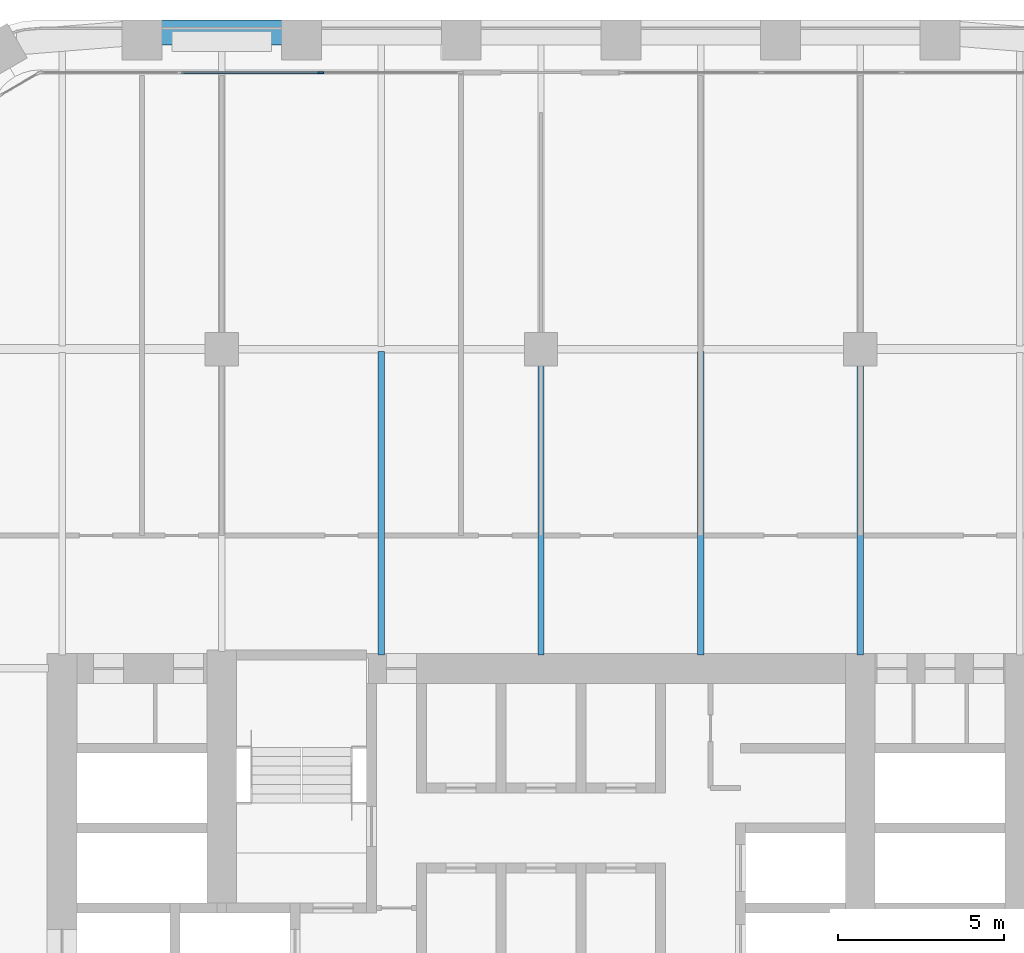
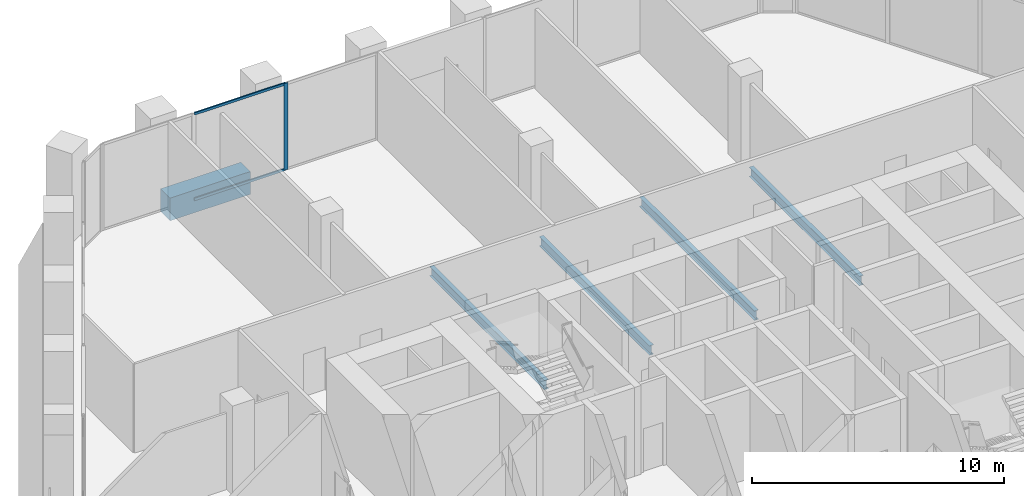
# One storey, part 8 of 26: 5 beams, 3 members, 1 element without a shape of its own.
"""IFC4 building model written with IfcOpenShell, lengths in metres."""

import ifcopenshell
import ifcopenshell.guid

model = None  # the IFC model being written
_history = None  # IfcOwnerHistory: only IFC2X3 demands one
_inside = {}  # id of a spatial element -> (the spatial element, [elements in it])
_under = {}  # id of a project, library or spatial element -> (it, [spatial elements below it])
_declared = {}  # id of a project -> (the project, [libraries it declares])
_typed = {}  # id of a type object -> (the type object, [elements of that type])
_made_of = {}  # id of a material, layer set ... -> (it, [elements and type objects made of it])


def new_model(schema):
    """Start an empty IFC model of exactly this schema.

    Asked for "IFC4X3", IfcOpenShell would pick the latest addendum, in which some entities
    have other attributes; the version numbers below select the first issue.
    IFC2X3 requires an IfcOwnerHistory on every rooted entity: one is made here for all.
    """
    global model, _history
    if schema == "IFC4X3":
        model = ifcopenshell.file(schema_version=(4, 3, 0, 0))
    else:
        model = ifcopenshell.file(schema=schema)
    _inside.clear()
    _under.clear()
    _declared.clear()
    _typed.clear()
    _made_of.clear()
    _history = None
    if model.schema == "IFC2X3":
        org = make("IfcOrganization", Name="unknown")
        user = make(
            "IfcPersonAndOrganization",
            ThePerson=make("IfcPerson", FamilyName="unknown"),
            TheOrganization=org,
        )
        app = make(
            "IfcApplication",
            ApplicationDeveloper=org,
            Version="unknown",
            ApplicationFullName="unknown",
            ApplicationIdentifier="unknown",
        )
        _history = make(
            "IfcOwnerHistory",
            OwningUser=user,
            OwningApplication=app,
            ChangeAction="ADDED",
            CreationDate=0,
        )
    return model


def make(cls, **values):
    """One entity of the class cls with the attributes given. An attribute that is None is left unset."""
    return model.create_entity(
        cls, **{name: value for name, value in values.items() if value is not None}
    )


def rooted(cls, **values):
    """An entity with a GlobalId (a new one), such as an element, a storey or a relation."""
    return make(cls, GlobalId=ifcopenshell.guid.new(), OwnerHistory=_history, **values)


def si_unit(unit_type, name, prefix=None):
    """IfcSIUnit, for example si_unit("LENGTHUNIT", "METRE", prefix="MILLI")."""
    return make("IfcSIUnit", UnitType=unit_type, Prefix=prefix, Name=name)


def assignment(units):
    """IfcUnitAssignment: the units of a project."""
    return None if units is None else make("IfcUnitAssignment", Units=units)


def point(xyz):
    """IfcCartesianPoint."""
    return None if xyz is None else make("IfcCartesianPoint", Coordinates=xyz)


def direction(xyz):
    """IfcDirection."""
    return None if xyz is None else make("IfcDirection", DirectionRatios=xyz)


def frame(location, z_axis=None, x_axis=None):
    """IfcAxis2Placement3D, a coordinate frame: its origin and axes. An axis left out is left unset."""
    return make(
        "IfcAxis2Placement3D",
        Location=point(location),
        Axis=direction(z_axis),
        RefDirection=direction(x_axis),
    )


def frame_2d(location, x_axis=None):
    """IfcAxis2Placement2D, a coordinate frame in the plane: its origin and x axis."""
    return make(
        "IfcAxis2Placement2D", Location=point(location), RefDirection=direction(x_axis)
    )


def origin():
    """The frame at (0, 0, 0) with its axes left unset."""
    return frame((0.0, 0.0, 0.0))


def origin_2d():
    """The frame at (0, 0) in the plane with its x axis left unset."""
    return frame_2d((0.0, 0.0))


def place(relative_to, where):
    """IfcLocalPlacement: puts the frame where relative to a parent placement (None: the world)."""
    return make(
        "IfcLocalPlacement", PlacementRelTo=relative_to, RelativePlacement=where
    )


def context(
    kind, dimensions, precision=None, world=None, true_north=None, identifier=None
):
    """IfcGeometricRepresentationContext, for example the 3D "Model" context."""
    return make(
        "IfcGeometricRepresentationContext",
        ContextIdentifier=identifier,
        ContextType=kind,
        CoordinateSpaceDimension=dimensions,
        Precision=precision,
        WorldCoordinateSystem=world,
        TrueNorth=true_north,
    )


def subcontext(parent, identifier, kind, view, scale=None):
    """IfcGeometricRepresentationSubContext, for example "Body" below "Model"."""
    return make(
        "IfcGeometricRepresentationSubContext",
        ContextIdentifier=identifier,
        ContextType=kind,
        ParentContext=parent,
        TargetScale=scale,
        TargetView=view,
    )


def project(units=None, contexts=None):
    """IfcProject with its units and contexts."""
    return rooted(
        "IfcProject",
        Name="project",
        RepresentationContexts=contexts,
        UnitsInContext=assignment(units),
    )


def spatial(cls, under=None, at=None, **own):
    """A site, building, storey or space (cls), placed at a placement, below another one or the project."""
    s = rooted(cls, ObjectPlacement=at, **own)
    if under is not None:
        _under.setdefault(under.id(), (under, []))[1].append(s)
    return s


def profile(cls, at=None, kind="AREA", **sizes):
    """A parametric profile (cls). Its sizes go by their IFC names, for example OverallWidth=200.0."""
    return make(cls, ProfileType=kind, Position=at, **sizes)


def rectangle(**sizes):
    """IfcRectangleProfileDef."""
    return profile("IfcRectangleProfileDef", **sizes)


def i_section(**sizes):
    """IfcIShapeProfileDef."""
    return profile("IfcIShapeProfileDef", **sizes)


def extrude(swept, where, along, depth):
    """IfcExtrudedAreaSolid: the profile swept, set in the frame where, extruded along a direction by depth."""
    return make(
        "IfcExtrudedAreaSolid",
        SweptArea=swept,
        Position=where,
        ExtrudedDirection=direction(along),
        Depth=depth,
    )


def shape(context_of_items, identifier, shape_type, items):
    """IfcShapeRepresentation: the items that make up one representation, for example the "Body"."""
    return make(
        "IfcShapeRepresentation",
        ContextOfItems=context_of_items,
        RepresentationIdentifier=identifier,
        RepresentationType=shape_type,
        Items=items,
    )


def material(Name=None, Category=None):
    """IfcMaterial."""
    return make("IfcMaterial", Name=Name, Category=Category)


def material_profile(
    of_material, cross_section, Name=None, Category=None, Priority=None
):
    """IfcMaterialProfile: a cross section and its material."""
    return make(
        "IfcMaterialProfile",
        Name=Name,
        Material=of_material,
        Profile=cross_section,
        Priority=Priority,
        Category=Category,
    )


def profile_set(profiles, Name=None, composite=None):
    """IfcMaterialProfileSet."""
    return make(
        "IfcMaterialProfileSet",
        Name=Name,
        MaterialProfiles=profiles,
        CompositeProfile=composite,
    )


def made_of(thing, what):
    """Note that an element or type object is made of a material, layer set ...; save() writes the relation."""
    if what is not None:
        _made_of.setdefault(what.id(), (what, []))[1].append(thing)
    return thing


def type_object(cls, material=None, **own):
    """A type object (cls), such as IfcWallType, which elements share."""
    return made_of(rooted(cls, **own), material)


def element(
    cls,
    number,
    at=None,
    inside=None,
    cuts=None,
    type_object=None,
    material=None,
    context=None,
    identifier="Body",
    shape_type=None,
    held_by="IfcProductDefinitionShape",
    body=None,
    shapes=None,
    **own,
):
    """One element of the class cls, such as IfcWall. Its Tag is "e" and its number.

    at: its placement. inside: the storey or other place that contains it. cuts: it is an
    opening in that element (IfcRelVoidsElement). A single representation is given by context,
    identifier, shape_type and body (its items); several are given by shapes. held_by: the class
    of the entity that holds the representations. save() writes the other relations.
    """
    e = rooted(cls, Tag="e%d" % number, ObjectPlacement=at, **own)
    if body is not None:
        shapes = [shape(context, identifier, shape_type, body)]
    if shapes is not None:
        e.Representation = make(held_by, Representations=shapes)
    if inside is not None:
        _inside.setdefault(inside.id(), (inside, []))[1].append(e)
    if cuts is not None:
        rooted(
            "IfcRelVoidsElement", RelatingBuildingElement=cuts, RelatedOpeningElement=e
        )
    if type_object is not None:
        _typed.setdefault(type_object.id(), (type_object, []))[1].append(e)
    return made_of(e, material)


def aggregate(whole, parts):
    """IfcRelAggregates: a whole, such as a stair, and the parts it consists of."""
    return rooted("IfcRelAggregates", RelatingObject=whole, RelatedObjects=parts)


def save(model, path):
    """Write the relations noted so far, then the file.

    IfcRelAggregates (storeys below a building ...), IfcRelContainedInSpatialStructure (elements
    in a storey), IfcRelDefinesByType, IfcRelAssociatesMaterial and IfcRelDeclares: one each for
    every whole, place, type object, material and project.
    """
    for whole, parts in _under.values():
        aggregate(whole, parts)
    for where, things in _inside.values():
        rooted(
            "IfcRelContainedInSpatialStructure",
            RelatedElements=things,
            RelatingStructure=where,
        )
    for kind, things in _typed.values():
        rooted("IfcRelDefinesByType", RelatedObjects=things, RelatingType=kind)
    for what, things in _made_of.values():
        rooted("IfcRelAssociatesMaterial", RelatedObjects=things, RelatingMaterial=what)
    for by, libraries in _declared.values():
        rooted("IfcRelDeclares", RelatingContext=by, RelatedDefinitions=libraries)
    model.write(path)


model = new_model("IFC4")

# Units and contexts
model_context = context("Model", 3, precision=1e-05, world=origin(), true_north=direction((0.0, 1.0)))
body_context = subcontext(model_context, "Body", "Model", "MODEL_VIEW")
ifc_project = project(units=[si_unit("LENGTHUNIT", "METRE"), si_unit("AREAUNIT", "SQUARE_METRE"), si_unit("VOLUMEUNIT", "CUBIC_METRE"), si_unit("PLANEANGLEUNIT", "RADIAN"), si_unit("MASSUNIT", "GRAM", prefix="KILO")], contexts=[model_context])

# Site, building, storey
site_placement = place(None, origin())
site = spatial("IfcSite", under=ifc_project, at=site_placement, CompositionType="ELEMENT")
building_placement = place(site_placement, origin())
building = spatial("IfcBuilding", under=site, at=building_placement, Name="Kolab Exchange Tower", CompositionType="ELEMENT")
storey_placement = place(building_placement, frame((0.0, 0.0, 104.89990234375)))
storey = spatial("IfcBuildingStorey", under=building, at=storey_placement, Name="L20", CompositionType="ELEMENT", Elevation=104.89990234375)

# Beams
ifc_material_1 = material(Name="Steel S355", Category="steel")
ifc_material_profile_1 = material_profile(ifc_material_1, i_section(OverallWidth=0.18994140625, OverallDepth=0.45703125, WebThickness=0.009033203125, FlangeThickness=0.014404296875, at=origin_2d()), Name="W460X74")
ifc_profile_set_1 = profile_set([ifc_material_profile_1], Name="Steel S355")
beam_type_1 = type_object("IfcBeamType", Name="FLOOR BEAM W460X74", PredefinedType="BEAM", material=ifc_profile_set_1)
beam_1_placement = place(storey_placement, frame((-4.800048828125, 10.010009765625, -0.428466796875), z_axis=(0.0, 1.0, 0.0), x_axis=(-1.0, 0.0, 0.0)))
element("IfcBeam", 1, at=beam_1_placement, inside=storey, type_object=beam_type_1, Name="beam/L20/fr/022", PredefinedType="BEAM", context=body_context, shape_type="SweptSolid", body=[
    extrude(i_section(OverallWidth=0.18994140625, OverallDepth=0.45703125, WebThickness=0.009033203125, FlangeThickness=0.014404296875, at=origin_2d()), origin(), (0.0, 0.0, 1.0), 9.115966796875),
])
beam_2_placement = place(storey_placement, frame((0.0, 10.010009765625, -0.428466796875), z_axis=(0.0, 1.0, 0.0), x_axis=(-1.0, 0.0, 0.0)))
element("IfcBeam", 2, at=beam_2_placement, inside=storey, type_object=beam_type_1, Name="beam/L20/fr/026", PredefinedType="BEAM", context=body_context, shape_type="SweptSolid", body=[
    extrude(i_section(OverallWidth=0.18994140625, OverallDepth=0.45703125, WebThickness=0.009033203125, FlangeThickness=0.014404296875, at=origin_2d()), origin(), (0.0, 0.0, 1.0), 8.72998046875),
])
beam_3_placement = place(storey_placement, frame((4.800048828125, 10.010009765625, -0.428466796875), z_axis=(0.0, 1.0, 0.0), x_axis=(-1.0, 0.0, 0.0)))
element("IfcBeam", 3, at=beam_3_placement, inside=storey, type_object=beam_type_1, Name="beam/L20/fr/030", PredefinedType="BEAM", context=body_context, shape_type="SweptSolid", body=[
    extrude(i_section(OverallWidth=0.18994140625, OverallDepth=0.45703125, WebThickness=0.009033203125, FlangeThickness=0.014404296875, at=origin_2d()), origin(), (0.0, 0.0, 1.0), 9.115966796875),
])
beam_4_placement = place(storey_placement, frame((9.60009765625, 10.010009765625, -0.428466796875), z_axis=(0.0, 1.0, 0.0), x_axis=(-1.0, 0.0, 0.0)))
element("IfcBeam", 4, at=beam_4_placement, inside=storey, type_object=beam_type_1, Name="beam/L20/fr/034", PredefinedType="BEAM", context=body_context, shape_type="SweptSolid", body=[
    extrude(i_section(OverallWidth=0.18994140625, OverallDepth=0.45703125, WebThickness=0.009033203125, FlangeThickness=0.014404296875, at=origin_2d()), origin(), (0.0, 0.0, 1.0), 8.72998046875),
])
ifc_material_2 = material(Name="Concrete C70/85", Category="concrete")
ifc_material_profile_2 = material_profile(ifc_material_2, rectangle(XDim=0.75, YDim=1.10009765625, at=origin_2d()), Name="RC750X1100")
ifc_profile_set_2 = profile_set([ifc_material_profile_2], Name="Concrete C70/85")
beam_type_2 = type_object("IfcBeamType", Name="SPANDREL BEAM 750X1100 C70/85", PredefinedType="BEAM", material=ifc_profile_set_2)
beam_5_placement = place(storey_placement, frame((-11.43994140625, 28.723388671875, -0.75), z_axis=(1.0, 0.0, 0.0), x_axis=(0.0, 1.0, 0.0)))
element("IfcBeam", 5, at=beam_5_placement, inside=storey, type_object=beam_type_2, Name="beam/L20/sp/F1-02", PredefinedType="BEAM", context=body_context, shape_type="SweptSolid", body=[
    extrude(rectangle(XDim=0.75, YDim=1.10009765625, at=origin_2d()), origin(), (0.0, 0.0, 1.0), 3.679931640625),
])

# Curtain wall, members
ifc_material_3 = material(Name="Aluminium EN AW-6063 T6", Category="aluminium")
curtain_wall_type = type_object("IfcCurtainWallType", Name="UNITISED LOWER MID ZONE CURTAIN WALL", PredefinedType="NOTDEFINED", material=ifc_material_3)
curtain_wall_placement = place(storey_placement, origin())
curtain_wall = element("IfcCurtainWall", 6, at=curtain_wall_placement, inside=storey, type_object=curtain_wall_type, Name="cw/L20/F1-1", PredefinedType="NOTDEFINED")
ifc_material_profile_3 = material_profile(ifc_material_3, rectangle(XDim=0.06005859375, YDim=0.179931640625, at=origin_2d()), Name="RECT 60X180")
ifc_profile_set_3 = profile_set([ifc_material_profile_3], Name="Aluminium EN AW-6063 T6")
member_type_1 = type_object("IfcMemberType", Name="UNITISED LOWER MID ZONE MULLION 60 X 180", PredefinedType="MULLION", material=ifc_profile_set_3)
member_1_placement = place(storey_placement, frame((-6.62255859375, 27.5185546875, 0.0), z_axis=(0.0, 0.0, 1.0), x_axis=(0.0, 1.0, 0.0)))
member_1 = element("IfcMember", 7, at=member_1_placement, type_object=member_type_1, Name="CW2 mullion 3", PredefinedType="MULLION", context=body_context, shape_type="SweptSolid", body=[
    extrude(rectangle(XDim=0.06005859375, YDim=0.179931640625, at=origin_2d()), origin(), (0.0, 0.0, 1.0), 4.2001953125),
])
ifc_material_profile_4 = material_profile(ifc_material_3, rectangle(XDim=0.06005859375, YDim=0.1201171875, at=origin_2d()), Name="RECT 60X120")
ifc_profile_set_4 = profile_set([ifc_material_profile_4], Name="Aluminium EN AW-6063 T6")
member_type_2 = type_object("IfcMemberType", Name="UNITISED LOWER MID ZONE TRANSOM 60 X 120", PredefinedType="USERDEFINED", material=ifc_profile_set_4)
member_2_placement = place(storey_placement, frame((-10.815185546875, 27.5185546875, 0.030029296875), z_axis=(1.0, 0.0, 0.0), x_axis=(0.0, 1.0, 0.0)))
member_2 = element("IfcMember", 8, at=member_2_placement, type_object=member_type_2, Name="CW2 transom 2.1", ObjectType="TRANSOM", PredefinedType="USERDEFINED", context=body_context, shape_type="SweptSolid", body=[
    extrude(rectangle(XDim=0.06005859375, YDim=0.1201171875, at=origin_2d()), origin(), (0.0, 0.0, 1.0), 4.16259765625),
])
member_3_placement = place(storey_placement, frame((-10.815185546875, 27.5185546875, 4.170166015625), z_axis=(1.0, 0.0, 0.0), x_axis=(0.0, 1.0, 0.0)))
member_3 = element("IfcMember", 9, at=member_3_placement, type_object=member_type_2, Name="CW2 transom 2.2", ObjectType="TRANSOM", PredefinedType="USERDEFINED", context=body_context, shape_type="SweptSolid", body=[
    extrude(rectangle(XDim=0.06005859375, YDim=0.1201171875, at=origin_2d()), origin(), (0.0, 0.0, 1.0), 4.16259765625),
])
aggregate(curtain_wall, [member_1, member_2, member_3])

save(model, "model.ifc")
